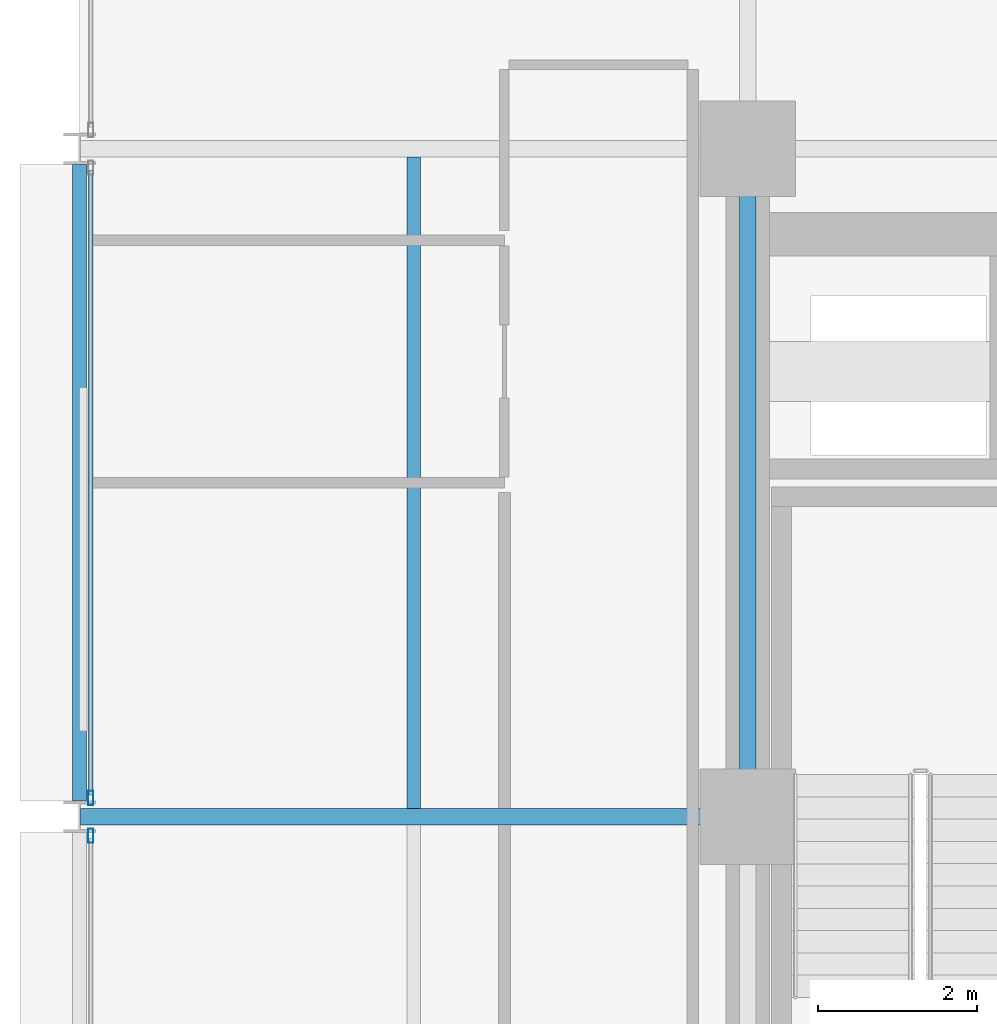
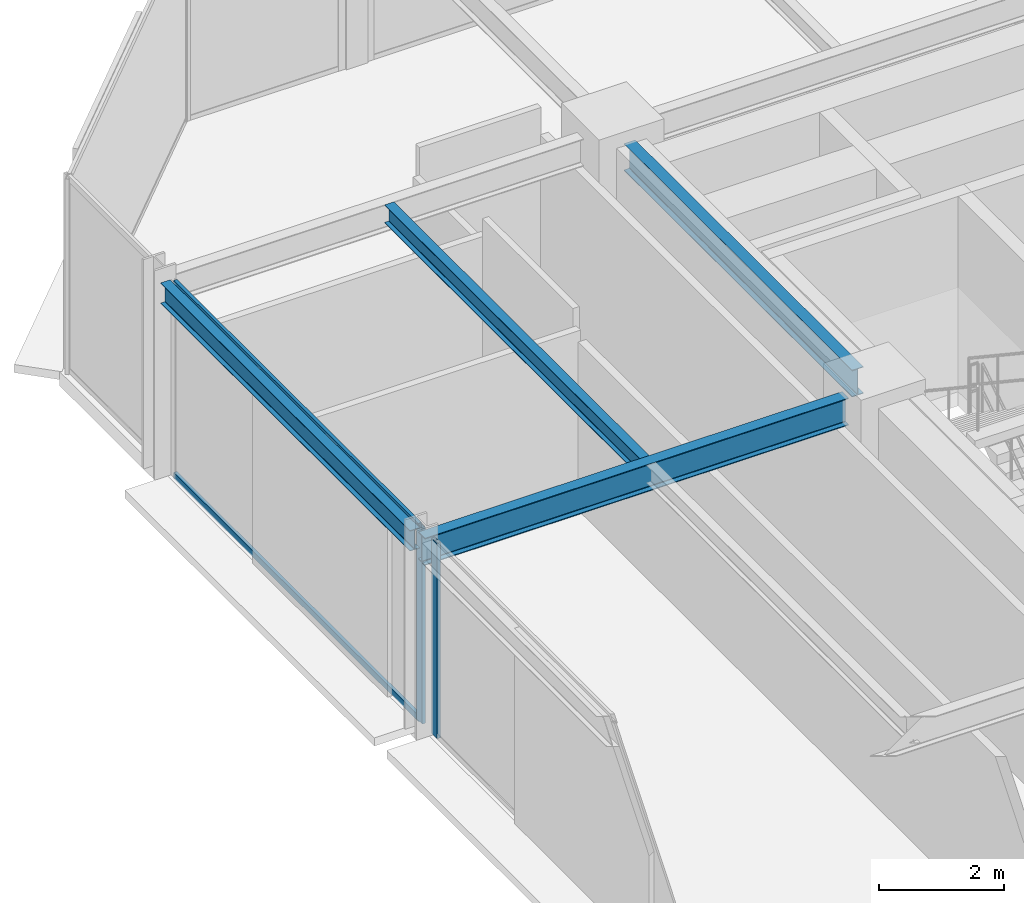
# One storey, part 16 of 30: 4 beams, 4 members, 2 elements without a shape of their own.
"""IFC4 building model written with IfcOpenShell, lengths in metres."""

from ifc_helpers import new_model, si_unit, direction, frame, origin, origin_2d, place, context, subcontext, project, spatial, hollow_rectangle, i_section, extrude, material, layer, layer_set, material_profile, profile_set, type_object, element, aggregate, save


model = new_model("IFC4")

# Units and contexts
model_context = context("Model", 3, precision=1e-05, world=origin(), true_north=direction((0.0, 1.0)))
body_context = subcontext(model_context, "Body", "Model", "MODEL_VIEW")
ifc_project = project(units=[si_unit("LENGTHUNIT", "METRE"), si_unit("AREAUNIT", "SQUARE_METRE"), si_unit("VOLUMEUNIT", "CUBIC_METRE"), si_unit("PLANEANGLEUNIT", "RADIAN"), si_unit("MASSUNIT", "GRAM", prefix="KILO")], contexts=[model_context])

# Site, building, storey
site_placement = place(None, origin())
site = spatial("IfcSite", under=ifc_project, at=site_placement, CompositionType="ELEMENT")
building_placement = place(site_placement, origin())
building = spatial("IfcBuilding", under=site, at=building_placement, Name="Nerrivon Quay Data Exchange", CompositionType="ELEMENT")
storey_placement = place(building_placement, frame((0.0, 0.0, 154.10009765625)))
storey = spatial("IfcBuildingStorey", under=building, at=storey_placement, Name="L36", CompositionType="ELEMENT", Elevation=154.10009765625)

# Beams
ifc_material_1 = material(Name="Steel Grade 350", Category="steel")
ifc_material_profile_1 = material_profile(ifc_material_1, i_section(OverallWidth=0.208984375, OverallDepth=0.532958984375, WebThickness=0.01025390625, FlangeThickness=0.015625, FilletRadius=0.013916015625, at=origin_2d()), Name="530UB92.4")
ifc_profile_set_1 = profile_set([ifc_material_profile_1], Name="Steel Grade 350")
beam_type_1 = type_object("IfcBeamType", Name="BM-G3-530UB92", PredefinedType="BEAM", material=ifc_profile_set_1)
beam_1_placement = place(storey_placement, frame((0.012451171875, 33.60009765625, 3.558349609375), z_axis=(1.0, 0.0, 0.0), x_axis=(0.0, 1.0, 0.0)))
element("IfcBeam", 1, at=beam_1_placement, inside=storey, type_object=beam_type_1, Name="L36 EW Girder Y=33.6 (0.0..8.4)", PredefinedType="BEAM", context=body_context, shape_type="SweptSolid", body=[
    extrude(i_section(OverallWidth=0.208984375, OverallDepth=0.532958984375, WebThickness=0.01025390625, FlangeThickness=0.015625, FilletRadius=0.013916015625, at=origin_2d()), origin(), (0.0, 0.0, 1.0), 7.84765625),
])
ifc_material_profile_2 = material_profile(ifc_material_1, i_section(OverallWidth=0.208984375, OverallDepth=0.528076171875, WebThickness=0.009521484375, FlangeThickness=0.01318359375, FilletRadius=0.013916015625, at=origin_2d()), Name="530UB82.0")
ifc_profile_set_2 = profile_set([ifc_material_profile_2], Name="Steel Grade 350")
beam_type_2 = type_object("IfcBeamType", Name="BM-G4-530UB82", PredefinedType="BEAM", material=ifc_profile_set_2)
beam_2_placement = place(storey_placement, frame((8.39990234375, 34.139892578125, 3.560791015625), z_axis=(0.0, 1.0, 0.0), x_axis=(-1.0, 0.0, 0.0)))
element("IfcBeam", 2, at=beam_2_placement, inside=storey, type_object=beam_type_2, Name="L36 NS Girder X=8.4 (33.6..42.0)", PredefinedType="BEAM", context=body_context, shape_type="SweptSolid", body=[
    extrude(i_section(OverallWidth=0.208984375, OverallDepth=0.528076171875, WebThickness=0.009521484375, FlangeThickness=0.01318359375, FilletRadius=0.013916015625, at=origin_2d()), origin(), (0.0, 0.0, 1.0), 7.320068359375),
])
ifc_material_profile_3 = material_profile(ifc_material_1, i_section(OverallWidth=0.1708984375, OverallDepth=0.35595703125, WebThickness=0.00732421875, FlangeThickness=0.011474609375, FilletRadius=0.011474609375, at=origin_2d()), Name="360UB50.7")
ifc_profile_set_3 = profile_set([ifc_material_profile_3], Name="Steel Grade 350")
beam_type_3 = type_object("IfcBeamType", Name="BM-J4-360UB51", PredefinedType="JOIST", material=ifc_profile_set_3)
beam_3_placement = place(storey_placement, frame((4.199951171875, 33.70458984375, 3.64697265625), z_axis=(0.0, 1.0, 0.0), x_axis=(-1.0, 0.0, 0.0)))
element("IfcBeam", 3, at=beam_3_placement, inside=storey, type_object=beam_type_3, Name="L36 Secondary Joist X=4.2 (33.6..42.0)", PredefinedType="JOIST", context=body_context, shape_type="SweptSolid", body=[
    extrude(i_section(OverallWidth=0.1708984375, OverallDepth=0.35595703125, WebThickness=0.00732421875, FlangeThickness=0.011474609375, FilletRadius=0.011474609375, at=origin_2d()), origin(), (0.0, 0.0, 1.0), 8.19091796875),
])
ifc_material_profile_4 = material_profile(ifc_material_1, i_section(OverallWidth=0.177978515625, OverallDepth=0.403076171875, WebThickness=0.007568359375, FlangeThickness=0.010986328125, FilletRadius=0.011474609375, at=origin_2d()), Name="410UB53.7")
ifc_profile_set_4 = profile_set([ifc_material_profile_4], Name="Steel Grade 350")
beam_type_4 = type_object("IfcBeamType", Name="BM-SP2-410UB54", PredefinedType="SPANDREL", material=ifc_profile_set_4)
beam_4_placement = place(storey_placement, frame((0.0, 33.800048828125, 3.623291015625), z_axis=(0.0, 1.0, 0.0), x_axis=(-1.0, 0.0, 0.0)))
element("IfcBeam", 4, at=beam_4_placement, inside=storey, type_object=beam_type_4, Name="L36 NS Girder X=0.0 (33.6..42.0)", PredefinedType="SPANDREL", context=body_context, shape_type="SweptSolid", body=[
    extrude(i_section(OverallWidth=0.177978515625, OverallDepth=0.403076171875, WebThickness=0.007568359375, FlangeThickness=0.010986328125, FilletRadius=0.011474609375, at=origin_2d()), origin(), (0.0, 0.0, 1.0), 8.0),
])

# Curtain wall, member
ifc_material_2 = material(Name="Anodised aluminium 6063-T6", Category="aluminium")
ifc_layer = layer(ifc_material_2, 0.2099609375)
ifc_layer_set = layer_set([ifc_layer], Name="Anodised aluminium 6063-T6")
curtain_wall_type = type_object("IfcCurtainWallType", Name="CW-SYS-02", PredefinedType="NOTDEFINED", material=ifc_layer_set)
curtain_wall_1_placement = place(storey_placement, origin())
curtain_wall_1 = element("IfcCurtainWall", 5, at=curtain_wall_1_placement, inside=storey, type_object=curtain_wall_type, Name="L36 Unitised Curtain Wall 14", PredefinedType="NOTDEFINED")
ifc_material_profile_5 = material_profile(ifc_material_2, hollow_rectangle(XDim=0.06494140625, YDim=0.179931640625, WallThickness=0.00341796875, at=origin_2d()), Name="ALU-MULL-180x65")
ifc_profile_set_5 = profile_set([ifc_material_profile_5], Name="Anodised aluminium 6063-T6")
member_type_1 = type_object("IfcMemberType", Name="CWM-180x65", PredefinedType="MULLION", material=ifc_profile_set_5)
member_1_placement = place(storey_placement, frame((0.139892578125, 33.362548828125, 0.0), z_axis=(0.0, 0.0, 1.0), x_axis=(-1.0, 0.0, 0.0)))
member_1 = element("IfcMember", 6, at=member_1_placement, type_object=member_type_1, Name="CW02 mullion 2", PredefinedType="MULLION", context=body_context, shape_type="SweptSolid", body=[
    extrude(hollow_rectangle(XDim=0.06494140625, YDim=0.179931640625, WallThickness=0.00341796875, at=origin_2d()), origin(), (0.0, 0.0, 1.0), 3.824951171875),
])
aggregate(curtain_wall_1, [member_1])

# Curtain wall, members
curtain_wall_2_placement = place(storey_placement, origin())
curtain_wall_2 = element("IfcCurtainWall", 7, at=curtain_wall_2_placement, inside=storey, type_object=curtain_wall_type, Name="L36 Unitised Curtain Wall 15", PredefinedType="NOTDEFINED")
member_2_placement = place(storey_placement, frame((0.139892578125, 33.83740234375, 0.0), z_axis=(0.0, 0.0, 1.0), x_axis=(-1.0, 0.0, 0.0)))
member_2 = element("IfcMember", 8, at=member_2_placement, type_object=member_type_1, Name="CW02 mullion 1", PredefinedType="MULLION", context=body_context, shape_type="SweptSolid", body=[
    extrude(hollow_rectangle(XDim=0.06494140625, YDim=0.179931640625, WallThickness=0.00341796875, at=origin_2d()), origin(), (0.0, 0.0, 1.0), 3.824951171875),
])
ifc_material_profile_6 = material_profile(ifc_material_2, hollow_rectangle(XDim=0.06005859375, YDim=0.1201171875, WallThickness=0.003173828125, at=origin_2d()), Name="ALU-TRAN-120x60")
ifc_profile_set_6 = profile_set([ifc_material_profile_6], Name="Anodised aluminium 6063-T6")
member_type_2 = type_object("IfcMemberType", Name="CWT-120x60", PredefinedType="USERDEFINED", material=ifc_profile_set_6)
member_3_placement = place(storey_placement, frame((0.139892578125, 33.875, 0.032470703125), z_axis=(0.0, 1.0, 0.0), x_axis=(-1.0, 0.0, 0.0)))
member_3 = element("IfcMember", 9, at=member_3_placement, type_object=member_type_2, Name="CW02 transom 1.1", ObjectType="TRANSOM", PredefinedType="USERDEFINED", context=body_context, shape_type="SweptSolid", body=[
    extrude(hollow_rectangle(XDim=0.06005859375, YDim=0.1201171875, WallThickness=0.003173828125, at=origin_2d()), origin(), (0.0, 0.0, 1.0), 7.85009765625),
])
member_4_placement = place(storey_placement, frame((0.139892578125, 33.875, 3.79248046875), z_axis=(0.0, 1.0, 0.0), x_axis=(-1.0, 0.0, 0.0)))
member_4 = element("IfcMember", 10, at=member_4_placement, type_object=member_type_2, Name="CW02 transom 1.2", ObjectType="TRANSOM", PredefinedType="USERDEFINED", context=body_context, shape_type="SweptSolid", body=[
    extrude(hollow_rectangle(XDim=0.06005859375, YDim=0.1201171875, WallThickness=0.003173828125, at=origin_2d()), origin(), (0.0, 0.0, 1.0), 7.85009765625),
])
aggregate(curtain_wall_2, [member_2, member_3, member_4])

save(model, "model.ifc")
